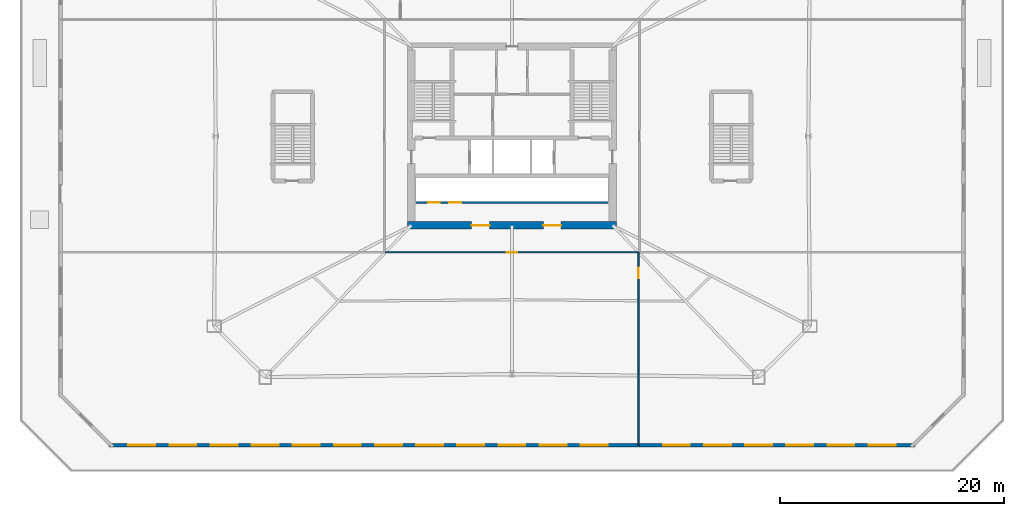
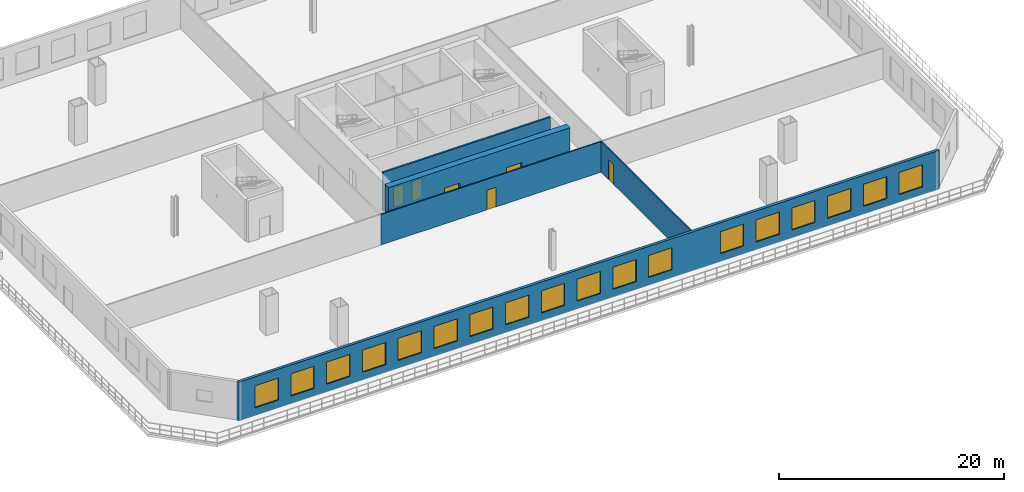
# One storey, part 3 of 9: 18 windows, 6 doors, 5 walls, 24 openings.
"""IFC4 building model written with IfcOpenShell, lengths in metres."""

from ifc_helpers import new_model, si_unit, direction, frame, frame_2d, origin, place, context, subcontext, project, spatial, rectangle, extrude, material, layer, layer_set, type_object, element, fill, save


model = new_model("IFC4")

# Units and contexts
model_context = context("Model", 3, precision=1e-05, world=origin(), true_north=direction((0.0, 1.0)))
body_context = subcontext(model_context, "Body", "Model", "MODEL_VIEW")
ifc_project = project(units=[si_unit("LENGTHUNIT", "METRE"), si_unit("AREAUNIT", "SQUARE_METRE"), si_unit("VOLUMEUNIT", "CUBIC_METRE"), si_unit("PLANEANGLEUNIT", "RADIAN"), si_unit("MASSUNIT", "GRAM", prefix="KILO")], contexts=[model_context])

# Site, building, storey
site_placement = place(None, origin())
site = spatial("IfcSite", under=ifc_project, at=site_placement, CompositionType="ELEMENT")
building_placement = place(site_placement, origin())
building = spatial("IfcBuilding", under=site, at=building_placement, Name="Caelvoria Tower", CompositionType="ELEMENT")
storey_placement = place(building_placement, frame((0.0, 0.0, 5.0)))
storey = spatial("IfcBuildingStorey", under=building, at=storey_placement, Name="L01", CompositionType="ELEMENT", Elevation=5.0)

# Wall, openings, windows
ifc_material_1 = material(Name="Precast Concrete C40/50 with Bronze Cladding", Category="concrete")
ifc_layer_1 = layer(ifc_material_1, 0.280029296875, Name="Precast Concrete C40/50 with Bronze Cladding")
ifc_layer_set_1 = layer_set([ifc_layer_1], Name="Exterior Precast Concrete C40/50 Bronze-Clad Facade Wall 280 - Precast Concrete C40/50 with Bronze Cladding")
wall_type_1 = type_object("IfcWallType", Name="Exterior Precast Concrete C40/50 Bronze-Clad Facade Wall 280", PredefinedType="STANDARD", material=ifc_layer_set_1)
wall_1_placement = place(storey_placement, frame((9.9599609375, 4.340087890625, 0.0), z_axis=(0.0, 0.0, 1.0), x_axis=(1.0, 0.0, 0.0)))
wall_1 = element("IfcWall", 1, at=wall_1_placement, inside=storey, type_object=wall_type_1, Name="Exterior Facade Wall L01-E0", PredefinedType="STANDARD", context=body_context, shape_type="SweptSolid", body=[
    extrude(rectangle(XDim=72.080078125, YDim=0.280029296875, at=frame_2d((36.0400390625, 0.0))), origin(), (0.0, 0.0, 1.0), 4.219970703125),
])
opening_1_placement = place(wall_1_placement, frame((1.739013671875, 0.0, 0.85009765625)))
opening_1 = element("IfcOpeningElement", 2, at=opening_1_placement, cuts=wall_1, Name="Opening WN-04", PredefinedType="OPENING", context=body_context, shape_type="SweptSolid", body=[
    extrude(rectangle(XDim=2.39990234375, YDim=2.39990234375, at=frame_2d((1.199951171875, 1.199951171875))), frame((0.0, 0.14990234375, 0.0), z_axis=(0.0, -1.0, 0.0), x_axis=(1.0, 0.0, 0.0)), (0.0, 0.0, 1.0), 0.300048828125),
])
opening_2_placement = place(wall_1_placement, frame((5.416748046875, 0.0, 0.85009765625)))
opening_2 = element("IfcOpeningElement", 3, at=opening_2_placement, cuts=wall_1, Name="Opening WN-04", PredefinedType="OPENING", context=body_context, shape_type="SweptSolid", body=[
    extrude(rectangle(XDim=2.39990234375, YDim=2.39990234375, at=frame_2d((1.199951171875, 1.199951171875))), frame((0.0, 0.14990234375, 0.0), z_axis=(0.0, -1.0, 0.0), x_axis=(1.0, 0.0, 0.0)), (0.0, 0.0, 1.0), 0.300048828125),
])
opening_3_placement = place(wall_1_placement, frame((9.0947265625, 0.0, 0.85009765625)))
opening_3 = element("IfcOpeningElement", 4, at=opening_3_placement, cuts=wall_1, Name="Opening WN-04", PredefinedType="OPENING", context=body_context, shape_type="SweptSolid", body=[
    extrude(rectangle(XDim=2.39990234375, YDim=2.39990234375, at=frame_2d((1.199951171875, 1.199951171875))), frame((0.0, 0.14990234375, 0.0), z_axis=(0.0, -1.0, 0.0), x_axis=(1.0, 0.0, 0.0)), (0.0, 0.0, 1.0), 0.300048828125),
])
opening_4_placement = place(wall_1_placement, frame((12.772705078125, 0.0, 0.85009765625)))
opening_4 = element("IfcOpeningElement", 5, at=opening_4_placement, cuts=wall_1, Name="Opening WN-04", PredefinedType="OPENING", context=body_context, shape_type="SweptSolid", body=[
    extrude(rectangle(XDim=2.39990234375, YDim=2.39990234375, at=frame_2d((1.199951171875, 1.199951171875))), frame((0.0, 0.14990234375, 0.0), z_axis=(0.0, -1.0, 0.0), x_axis=(1.0, 0.0, 0.0)), (0.0, 0.0, 1.0), 0.300048828125),
])
opening_5_placement = place(wall_1_placement, frame((16.450439453125, 0.0, 0.85009765625)))
opening_5 = element("IfcOpeningElement", 6, at=opening_5_placement, cuts=wall_1, Name="Opening WN-04", PredefinedType="OPENING", context=body_context, shape_type="SweptSolid", body=[
    extrude(rectangle(XDim=2.39990234375, YDim=2.39990234375, at=frame_2d((1.199951171875, 1.199951171875))), frame((0.0, 0.14990234375, 0.0), z_axis=(0.0, -1.0, 0.0), x_axis=(1.0, 0.0, 0.0)), (0.0, 0.0, 1.0), 0.300048828125),
])
opening_6_placement = place(wall_1_placement, frame((20.12841796875, 0.0, 0.85009765625)))
opening_6 = element("IfcOpeningElement", 7, at=opening_6_placement, cuts=wall_1, Name="Opening WN-04", PredefinedType="OPENING", context=body_context, shape_type="SweptSolid", body=[
    extrude(rectangle(XDim=2.39990234375, YDim=2.39990234375, at=frame_2d((1.199951171875, 1.199951171875))), frame((0.0, 0.14990234375, 0.0), z_axis=(0.0, -1.0, 0.0), x_axis=(1.0, 0.0, 0.0)), (0.0, 0.0, 1.0), 0.300048828125),
])
opening_7_placement = place(wall_1_placement, frame((23.806396484375, 0.0, 0.85009765625)))
opening_7 = element("IfcOpeningElement", 8, at=opening_7_placement, cuts=wall_1, Name="Opening WN-04", PredefinedType="OPENING", context=body_context, shape_type="SweptSolid", body=[
    extrude(rectangle(XDim=2.39990234375, YDim=2.39990234375, at=frame_2d((1.199951171875, 1.199951171875))), frame((0.0, 0.14990234375, 0.0), z_axis=(0.0, -1.0, 0.0), x_axis=(1.0, 0.0, 0.0)), (0.0, 0.0, 1.0), 0.300048828125),
])
opening_8_placement = place(wall_1_placement, frame((27.484130859375, 0.0, 0.85009765625)))
opening_8 = element("IfcOpeningElement", 9, at=opening_8_placement, cuts=wall_1, Name="Opening WN-04", PredefinedType="OPENING", context=body_context, shape_type="SweptSolid", body=[
    extrude(rectangle(XDim=2.39990234375, YDim=2.39990234375, at=frame_2d((1.199951171875, 1.199951171875))), frame((0.0, 0.14990234375, 0.0), z_axis=(0.0, -1.0, 0.0), x_axis=(1.0, 0.0, 0.0)), (0.0, 0.0, 1.0), 0.300048828125),
])
opening_9_placement = place(wall_1_placement, frame((31.162109375, 0.0, 0.85009765625)))
opening_9 = element("IfcOpeningElement", 10, at=opening_9_placement, cuts=wall_1, Name="Opening WN-04", PredefinedType="OPENING", context=body_context, shape_type="SweptSolid", body=[
    extrude(rectangle(XDim=2.39990234375, YDim=2.39990234375, at=frame_2d((1.199951171875, 1.199951171875))), frame((0.0, 0.14990234375, 0.0), z_axis=(0.0, -1.0, 0.0), x_axis=(1.0, 0.0, 0.0)), (0.0, 0.0, 1.0), 0.300048828125),
])
opening_10_placement = place(wall_1_placement, frame((34.840087890625, 0.0, 0.85009765625)))
opening_10 = element("IfcOpeningElement", 11, at=opening_10_placement, cuts=wall_1, Name="Opening WN-04", PredefinedType="OPENING", context=body_context, shape_type="SweptSolid", body=[
    extrude(rectangle(XDim=2.39990234375, YDim=2.39990234375, at=frame_2d((1.199951171875, 1.199951171875))), frame((0.0, 0.14990234375, 0.0), z_axis=(0.0, -1.0, 0.0), x_axis=(1.0, 0.0, 0.0)), (0.0, 0.0, 1.0), 0.300048828125),
])
opening_11_placement = place(wall_1_placement, frame((38.517822265625, 0.0, 0.85009765625)))
opening_11 = element("IfcOpeningElement", 12, at=opening_11_placement, cuts=wall_1, Name="Opening WN-04", PredefinedType="OPENING", context=body_context, shape_type="SweptSolid", body=[
    extrude(rectangle(XDim=2.39990234375, YDim=2.39990234375, at=frame_2d((1.199951171875, 1.199951171875))), frame((0.0, 0.14990234375, 0.0), z_axis=(0.0, -1.0, 0.0), x_axis=(1.0, 0.0, 0.0)), (0.0, 0.0, 1.0), 0.300048828125),
])
opening_12_placement = place(wall_1_placement, frame((42.19580078125, 0.0, 0.85009765625)))
opening_12 = element("IfcOpeningElement", 13, at=opening_12_placement, cuts=wall_1, Name="Opening WN-04", PredefinedType="OPENING", context=body_context, shape_type="SweptSolid", body=[
    extrude(rectangle(XDim=2.39990234375, YDim=2.39990234375, at=frame_2d((1.199951171875, 1.199951171875))), frame((0.0, 0.14990234375, 0.0), z_axis=(0.0, -1.0, 0.0), x_axis=(1.0, 0.0, 0.0)), (0.0, 0.0, 1.0), 0.300048828125),
])
opening_13_placement = place(wall_1_placement, frame((49.551513671875, 0.0, 0.85009765625)))
opening_13 = element("IfcOpeningElement", 14, at=opening_13_placement, cuts=wall_1, Name="Opening WN-04", PredefinedType="OPENING", context=body_context, shape_type="SweptSolid", body=[
    extrude(rectangle(XDim=2.39990234375, YDim=2.39990234375, at=frame_2d((1.199951171875, 1.199951171875))), frame((0.0, 0.14990234375, 0.0), z_axis=(0.0, -1.0, 0.0), x_axis=(1.0, 0.0, 0.0)), (0.0, 0.0, 1.0), 0.300048828125),
])
opening_14_placement = place(wall_1_placement, frame((53.2294921875, 0.0, 0.85009765625)))
opening_14 = element("IfcOpeningElement", 15, at=opening_14_placement, cuts=wall_1, Name="Opening WN-04", PredefinedType="OPENING", context=body_context, shape_type="SweptSolid", body=[
    extrude(rectangle(XDim=2.39990234375, YDim=2.39990234375, at=frame_2d((1.199951171875, 1.199951171875))), frame((0.0, 0.14990234375, 0.0), z_axis=(0.0, -1.0, 0.0), x_axis=(1.0, 0.0, 0.0)), (0.0, 0.0, 1.0), 0.300048828125),
])
opening_15_placement = place(wall_1_placement, frame((56.907470703125, 0.0, 0.85009765625)))
opening_15 = element("IfcOpeningElement", 16, at=opening_15_placement, cuts=wall_1, Name="Opening WN-04", PredefinedType="OPENING", context=body_context, shape_type="SweptSolid", body=[
    extrude(rectangle(XDim=2.39990234375, YDim=2.39990234375, at=frame_2d((1.199951171875, 1.199951171875))), frame((0.0, 0.14990234375, 0.0), z_axis=(0.0, -1.0, 0.0), x_axis=(1.0, 0.0, 0.0)), (0.0, 0.0, 1.0), 0.300048828125),
])
opening_16_placement = place(wall_1_placement, frame((60.585205078125, 0.0, 0.85009765625)))
opening_16 = element("IfcOpeningElement", 17, at=opening_16_placement, cuts=wall_1, Name="Opening WN-04", PredefinedType="OPENING", context=body_context, shape_type="SweptSolid", body=[
    extrude(rectangle(XDim=2.39990234375, YDim=2.39990234375, at=frame_2d((1.199951171875, 1.199951171875))), frame((0.0, 0.14990234375, 0.0), z_axis=(0.0, -1.0, 0.0), x_axis=(1.0, 0.0, 0.0)), (0.0, 0.0, 1.0), 0.300048828125),
])
opening_17_placement = place(wall_1_placement, frame((64.26318359375, 0.0, 0.85009765625)))
opening_17 = element("IfcOpeningElement", 18, at=opening_17_placement, cuts=wall_1, Name="Opening WN-04", PredefinedType="OPENING", context=body_context, shape_type="SweptSolid", body=[
    extrude(rectangle(XDim=2.39990234375, YDim=2.39990234375, at=frame_2d((1.199951171875, 1.199951171875))), frame((0.0, 0.14990234375, 0.0), z_axis=(0.0, -1.0, 0.0), x_axis=(1.0, 0.0, 0.0)), (0.0, 0.0, 1.0), 0.300048828125),
])
opening_18_placement = place(wall_1_placement, frame((67.941162109375, 0.0, 0.85009765625)))
opening_18 = element("IfcOpeningElement", 19, at=opening_18_placement, cuts=wall_1, Name="Opening WN-04", PredefinedType="OPENING", context=body_context, shape_type="SweptSolid", body=[
    extrude(rectangle(XDim=2.39990234375, YDim=2.39990234375, at=frame_2d((1.199951171875, 1.199951171875))), frame((0.0, 0.14990234375, 0.0), z_axis=(0.0, -1.0, 0.0), x_axis=(1.0, 0.0, 0.0)), (0.0, 0.0, 1.0), 0.300048828125),
])
ifc_material_2 = material(Name="Low-E Tinted Glass in Bronze Aluminium Frame", Category="aluminium")
window_type = type_object("IfcWindowType", Name="Podium Commercial Ribbon Window 2400x2400", PartitioningType="SINGLE_PANEL", PredefinedType="WINDOW", material=ifc_material_2)
window_1_placement = place(opening_1_placement, origin())
window_1 = element("IfcWindow", 20, at=window_1_placement, inside=storey, type_object=window_type, Name="Facade Window L01-E0-00", OverallHeight=2.39990234375, OverallWidth=2.39990234375, PartitioningType="SINGLE_PANEL", PredefinedType="WINDOW", context=body_context, shape_type="SweptSolid", body=[
    extrude(rectangle(XDim=2.39990234375, YDim=2.39990234375, at=frame_2d((1.199951171875, 1.199951171875))), frame((0.0, 0.030029296875, 0.0), z_axis=(0.0, -1.0, 0.0), x_axis=(1.0, 0.0, 0.0)), (0.0, 0.0, 1.0), 0.06005859375),
])
fill(opening_1, window_1)
window_2_placement = place(opening_2_placement, origin())
window_2 = element("IfcWindow", 21, at=window_2_placement, inside=storey, type_object=window_type, Name="Facade Window L01-E0-01", OverallHeight=2.39990234375, OverallWidth=2.39990234375, PartitioningType="SINGLE_PANEL", PredefinedType="WINDOW", context=body_context, shape_type="SweptSolid", body=[
    extrude(rectangle(XDim=2.39990234375, YDim=2.39990234375, at=frame_2d((1.199951171875, 1.199951171875))), frame((0.0, 0.030029296875, 0.0), z_axis=(0.0, -1.0, 0.0), x_axis=(1.0, 0.0, 0.0)), (0.0, 0.0, 1.0), 0.06005859375),
])
fill(opening_2, window_2)
window_3_placement = place(opening_3_placement, origin())
window_3 = element("IfcWindow", 22, at=window_3_placement, inside=storey, type_object=window_type, Name="Facade Window L01-E0-02", OverallHeight=2.39990234375, OverallWidth=2.39990234375, PartitioningType="SINGLE_PANEL", PredefinedType="WINDOW", context=body_context, shape_type="SweptSolid", body=[
    extrude(rectangle(XDim=2.39990234375, YDim=2.39990234375, at=frame_2d((1.199951171875, 1.199951171875))), frame((0.0, 0.030029296875, 0.0), z_axis=(0.0, -1.0, 0.0), x_axis=(1.0, 0.0, 0.0)), (0.0, 0.0, 1.0), 0.06005859375),
])
fill(opening_3, window_3)
window_4_placement = place(opening_4_placement, origin())
window_4 = element("IfcWindow", 23, at=window_4_placement, inside=storey, type_object=window_type, Name="Facade Window L01-E0-03", OverallHeight=2.39990234375, OverallWidth=2.39990234375, PartitioningType="SINGLE_PANEL", PredefinedType="WINDOW", context=body_context, shape_type="SweptSolid", body=[
    extrude(rectangle(XDim=2.39990234375, YDim=2.39990234375, at=frame_2d((1.199951171875, 1.199951171875))), frame((0.0, 0.030029296875, 0.0), z_axis=(0.0, -1.0, 0.0), x_axis=(1.0, 0.0, 0.0)), (0.0, 0.0, 1.0), 0.06005859375),
])
fill(opening_4, window_4)
window_5_placement = place(opening_5_placement, origin())
window_5 = element("IfcWindow", 24, at=window_5_placement, inside=storey, type_object=window_type, Name="Facade Window L01-E0-04", OverallHeight=2.39990234375, OverallWidth=2.39990234375, PartitioningType="SINGLE_PANEL", PredefinedType="WINDOW", context=body_context, shape_type="SweptSolid", body=[
    extrude(rectangle(XDim=2.39990234375, YDim=2.39990234375, at=frame_2d((1.199951171875, 1.199951171875))), frame((0.0, 0.030029296875, 0.0), z_axis=(0.0, -1.0, 0.0), x_axis=(1.0, 0.0, 0.0)), (0.0, 0.0, 1.0), 0.06005859375),
])
fill(opening_5, window_5)
window_6_placement = place(opening_6_placement, origin())
window_6 = element("IfcWindow", 25, at=window_6_placement, inside=storey, type_object=window_type, Name="Facade Window L01-E0-05", OverallHeight=2.39990234375, OverallWidth=2.39990234375, PartitioningType="SINGLE_PANEL", PredefinedType="WINDOW", context=body_context, shape_type="SweptSolid", body=[
    extrude(rectangle(XDim=2.39990234375, YDim=2.39990234375, at=frame_2d((1.199951171875, 1.199951171875))), frame((0.0, 0.030029296875, 0.0), z_axis=(0.0, -1.0, 0.0), x_axis=(1.0, 0.0, 0.0)), (0.0, 0.0, 1.0), 0.06005859375),
])
fill(opening_6, window_6)
window_7_placement = place(opening_7_placement, origin())
window_7 = element("IfcWindow", 26, at=window_7_placement, inside=storey, type_object=window_type, Name="Facade Window L01-E0-06", OverallHeight=2.39990234375, OverallWidth=2.39990234375, PartitioningType="SINGLE_PANEL", PredefinedType="WINDOW", context=body_context, shape_type="SweptSolid", body=[
    extrude(rectangle(XDim=2.39990234375, YDim=2.39990234375, at=frame_2d((1.199951171875, 1.199951171875))), frame((0.0, 0.030029296875, 0.0), z_axis=(0.0, -1.0, 0.0), x_axis=(1.0, 0.0, 0.0)), (0.0, 0.0, 1.0), 0.06005859375),
])
fill(opening_7, window_7)
window_8_placement = place(opening_8_placement, origin())
window_8 = element("IfcWindow", 27, at=window_8_placement, inside=storey, type_object=window_type, Name="Facade Window L01-E0-07", OverallHeight=2.39990234375, OverallWidth=2.39990234375, PartitioningType="SINGLE_PANEL", PredefinedType="WINDOW", context=body_context, shape_type="SweptSolid", body=[
    extrude(rectangle(XDim=2.39990234375, YDim=2.39990234375, at=frame_2d((1.199951171875, 1.199951171875))), frame((0.0, 0.030029296875, 0.0), z_axis=(0.0, -1.0, 0.0), x_axis=(1.0, 0.0, 0.0)), (0.0, 0.0, 1.0), 0.06005859375),
])
fill(opening_8, window_8)
window_9_placement = place(opening_9_placement, origin())
window_9 = element("IfcWindow", 28, at=window_9_placement, inside=storey, type_object=window_type, Name="Facade Window L01-E0-08", OverallHeight=2.39990234375, OverallWidth=2.39990234375, PartitioningType="SINGLE_PANEL", PredefinedType="WINDOW", context=body_context, shape_type="SweptSolid", body=[
    extrude(rectangle(XDim=2.39990234375, YDim=2.39990234375, at=frame_2d((1.199951171875, 1.199951171875))), frame((0.0, 0.030029296875, 0.0), z_axis=(0.0, -1.0, 0.0), x_axis=(1.0, 0.0, 0.0)), (0.0, 0.0, 1.0), 0.06005859375),
])
fill(opening_9, window_9)
window_10_placement = place(opening_10_placement, origin())
window_10 = element("IfcWindow", 29, at=window_10_placement, inside=storey, type_object=window_type, Name="Facade Window L01-E0-09", OverallHeight=2.39990234375, OverallWidth=2.39990234375, PartitioningType="SINGLE_PANEL", PredefinedType="WINDOW", context=body_context, shape_type="SweptSolid", body=[
    extrude(rectangle(XDim=2.39990234375, YDim=2.39990234375, at=frame_2d((1.199951171875, 1.199951171875))), frame((0.0, 0.030029296875, 0.0), z_axis=(0.0, -1.0, 0.0), x_axis=(1.0, 0.0, 0.0)), (0.0, 0.0, 1.0), 0.06005859375),
])
fill(opening_10, window_10)
window_11_placement = place(opening_11_placement, origin())
window_11 = element("IfcWindow", 30, at=window_11_placement, inside=storey, type_object=window_type, Name="Facade Window L01-E0-10", OverallHeight=2.39990234375, OverallWidth=2.39990234375, PartitioningType="SINGLE_PANEL", PredefinedType="WINDOW", context=body_context, shape_type="SweptSolid", body=[
    extrude(rectangle(XDim=2.39990234375, YDim=2.39990234375, at=frame_2d((1.199951171875, 1.199951171875))), frame((0.0, 0.030029296875, 0.0), z_axis=(0.0, -1.0, 0.0), x_axis=(1.0, 0.0, 0.0)), (0.0, 0.0, 1.0), 0.06005859375),
])
fill(opening_11, window_11)
window_12_placement = place(opening_12_placement, origin())
window_12 = element("IfcWindow", 31, at=window_12_placement, inside=storey, type_object=window_type, Name="Facade Window L01-E0-11", OverallHeight=2.39990234375, OverallWidth=2.39990234375, PartitioningType="SINGLE_PANEL", PredefinedType="WINDOW", context=body_context, shape_type="SweptSolid", body=[
    extrude(rectangle(XDim=2.39990234375, YDim=2.39990234375, at=frame_2d((1.199951171875, 1.199951171875))), frame((0.0, 0.030029296875, 0.0), z_axis=(0.0, -1.0, 0.0), x_axis=(1.0, 0.0, 0.0)), (0.0, 0.0, 1.0), 0.06005859375),
])
fill(opening_12, window_12)
window_13_placement = place(opening_13_placement, origin())
window_13 = element("IfcWindow", 32, at=window_13_placement, inside=storey, type_object=window_type, Name="Facade Window L01-E0-13", OverallHeight=2.39990234375, OverallWidth=2.39990234375, PartitioningType="SINGLE_PANEL", PredefinedType="WINDOW", context=body_context, shape_type="SweptSolid", body=[
    extrude(rectangle(XDim=2.39990234375, YDim=2.39990234375, at=frame_2d((1.199951171875, 1.199951171875))), frame((0.0, 0.030029296875, 0.0), z_axis=(0.0, -1.0, 0.0), x_axis=(1.0, 0.0, 0.0)), (0.0, 0.0, 1.0), 0.06005859375),
])
fill(opening_13, window_13)
window_14_placement = place(opening_14_placement, origin())
window_14 = element("IfcWindow", 33, at=window_14_placement, inside=storey, type_object=window_type, Name="Facade Window L01-E0-14", OverallHeight=2.39990234375, OverallWidth=2.39990234375, PartitioningType="SINGLE_PANEL", PredefinedType="WINDOW", context=body_context, shape_type="SweptSolid", body=[
    extrude(rectangle(XDim=2.39990234375, YDim=2.39990234375, at=frame_2d((1.199951171875, 1.199951171875))), frame((0.0, 0.030029296875, 0.0), z_axis=(0.0, -1.0, 0.0), x_axis=(1.0, 0.0, 0.0)), (0.0, 0.0, 1.0), 0.06005859375),
])
fill(opening_14, window_14)
window_15_placement = place(opening_15_placement, origin())
window_15 = element("IfcWindow", 34, at=window_15_placement, inside=storey, type_object=window_type, Name="Facade Window L01-E0-15", OverallHeight=2.39990234375, OverallWidth=2.39990234375, PartitioningType="SINGLE_PANEL", PredefinedType="WINDOW", context=body_context, shape_type="SweptSolid", body=[
    extrude(rectangle(XDim=2.39990234375, YDim=2.39990234375, at=frame_2d((1.199951171875, 1.199951171875))), frame((0.0, 0.030029296875, 0.0), z_axis=(0.0, -1.0, 0.0), x_axis=(1.0, 0.0, 0.0)), (0.0, 0.0, 1.0), 0.06005859375),
])
fill(opening_15, window_15)
window_16_placement = place(opening_16_placement, origin())
window_16 = element("IfcWindow", 35, at=window_16_placement, inside=storey, type_object=window_type, Name="Facade Window L01-E0-16", OverallHeight=2.39990234375, OverallWidth=2.39990234375, PartitioningType="SINGLE_PANEL", PredefinedType="WINDOW", context=body_context, shape_type="SweptSolid", body=[
    extrude(rectangle(XDim=2.39990234375, YDim=2.39990234375, at=frame_2d((1.199951171875, 1.199951171875))), frame((0.0, 0.030029296875, 0.0), z_axis=(0.0, -1.0, 0.0), x_axis=(1.0, 0.0, 0.0)), (0.0, 0.0, 1.0), 0.06005859375),
])
fill(opening_16, window_16)
window_17_placement = place(opening_17_placement, origin())
window_17 = element("IfcWindow", 36, at=window_17_placement, inside=storey, type_object=window_type, Name="Facade Window L01-E0-17", OverallHeight=2.39990234375, OverallWidth=2.39990234375, PartitioningType="SINGLE_PANEL", PredefinedType="WINDOW", context=body_context, shape_type="SweptSolid", body=[
    extrude(rectangle(XDim=2.39990234375, YDim=2.39990234375, at=frame_2d((1.199951171875, 1.199951171875))), frame((0.0, 0.030029296875, 0.0), z_axis=(0.0, -1.0, 0.0), x_axis=(1.0, 0.0, 0.0)), (0.0, 0.0, 1.0), 0.06005859375),
])
fill(opening_17, window_17)
window_18_placement = place(opening_18_placement, origin())
window_18 = element("IfcWindow", 37, at=window_18_placement, inside=storey, type_object=window_type, Name="Facade Window L01-E0-18", OverallHeight=2.39990234375, OverallWidth=2.39990234375, PartitioningType="SINGLE_PANEL", PredefinedType="WINDOW", context=body_context, shape_type="SweptSolid", body=[
    extrude(rectangle(XDim=2.39990234375, YDim=2.39990234375, at=frame_2d((1.199951171875, 1.199951171875))), frame((0.0, 0.030029296875, 0.0), z_axis=(0.0, -1.0, 0.0), x_axis=(1.0, 0.0, 0.0)), (0.0, 0.0, 1.0), 0.06005859375),
])
fill(opening_18, window_18)

# Wall, openings, doors
ifc_material_3 = material(Name="Concrete Block and Fireboard Assembly", Category="concrete")
ifc_layer_2 = layer(ifc_material_3, 0.179931640625, Name="Concrete Block and Fireboard Assembly")
ifc_layer_set_2 = layer_set([ifc_layer_2], Name="Fire-Rated Hoistway Partition Wall 180 - Concrete Block and Fireboard Assembly")
wall_type_2 = type_object("IfcWallType", Name="Fire-Rated Hoistway Partition Wall 180", PredefinedType="PARTITIONING", material=ifc_layer_set_2)
wall_2_placement = place(storey_placement, frame((37.39990234375, 26.050048828125, 0.0), z_axis=(0.0, 0.0, 1.0), x_axis=(1.0, 0.0, 0.0)))
wall_2 = element("IfcWall", 38, at=wall_2_placement, inside=storey, type_object=wall_type_2, Name="Interior Partition IW-L01-LFRONT", PredefinedType="PARTITIONING", context=body_context, shape_type="SweptSolid", body=[
    extrude(rectangle(XDim=17.2001953125, YDim=0.179931640625, at=frame_2d((8.60009765625, 0.0))), origin(), (0.0, 0.0, 1.0), 4.219970703125),
])
opening_19_placement = place(wall_2_placement, frame((1.10009765625, 0.0, 0.0)))
opening_19 = element("IfcOpeningElement", 39, at=opening_19_placement, cuts=wall_2, Name="Opening LD-01", PredefinedType="OPENING", context=body_context, shape_type="SweptSolid", body=[
    extrude(rectangle(XDim=1.050048828125, YDim=2.14990234375, at=frame_2d((0.52490234375, 1.074951171875))), frame((0.0, 0.099853515625, 0.0), z_axis=(0.0, -1.0, 0.0), x_axis=(1.0, 0.0, 0.0)), (0.0, 0.0, 1.0), 0.199951171875),
])
opening_20_placement = place(wall_2_placement, frame((3.0, 0.0, 0.0)))
opening_20 = element("IfcOpeningElement", 40, at=opening_20_placement, cuts=wall_2, Name="Opening LD-01", PredefinedType="OPENING", context=body_context, shape_type="SweptSolid", body=[
    extrude(rectangle(XDim=1.050048828125, YDim=2.14990234375, at=frame_2d((0.52490234375, 1.074951171875))), frame((0.0, 0.099853515625, 0.0), z_axis=(0.0, -1.0, 0.0), x_axis=(1.0, 0.0, 0.0)), (0.0, 0.0, 1.0), 0.199951171875),
])
ifc_material_4 = material(Name="Brushed Bronze Stainless Sliding Landing Door", Category="aluminium")
door_type_1 = type_object("IfcDoorType", Name="Lift Landing Sliding Door 1100x2150", OperationType="NOTDEFINED", PredefinedType="DOOR", material=ifc_material_4)
door_1_placement = place(opening_19_placement, origin())
door_1 = element("IfcDoor", 41, at=door_1_placement, inside=storey, type_object=door_type_1, Name="Interior Door LD-L01-PL1", OperationType="SLIDING_TO_LEFT", OverallHeight=2.14990234375, OverallWidth=1.050048828125, PredefinedType="DOOR", context=body_context, shape_type="SweptSolid", body=[
    extrude(rectangle(XDim=1.050048828125, YDim=2.14990234375, at=frame_2d((0.52490234375, 1.074951171875))), frame((0.0, 0.02490234375, 0.0), z_axis=(0.0, -1.0, 0.0), x_axis=(1.0, 0.0, 0.0)), (0.0, 0.0, 1.0), 0.050048828125),
])
fill(opening_19, door_1)
door_2_placement = place(opening_20_placement, origin())
door_2 = element("IfcDoor", 42, at=door_2_placement, inside=storey, type_object=door_type_1, Name="Interior Door LD-L01-PL2", OperationType="SLIDING_TO_RIGHT", OverallHeight=2.14990234375, OverallWidth=1.050048828125, PredefinedType="DOOR", context=body_context, shape_type="SweptSolid", body=[
    extrude(rectangle(XDim=1.050048828125, YDim=2.14990234375, at=frame_2d((0.52490234375, 1.074951171875))), frame((0.0, 0.02490234375, 0.0), z_axis=(0.0, -1.0, 0.0), x_axis=(1.0, 0.0, 0.0)), (0.0, 0.0, 1.0), 0.050048828125),
])
fill(opening_20, door_2)

ifc_material_5 = material(Name="Concrete C60/75", Category="concrete")
ifc_layer_3 = layer(ifc_material_5, 0.64990234375, Name="Concrete C60/75")
ifc_layer_set_3 = layer_set([ifc_layer_3], Name="Lower Core Shear Wall 650 - Concrete C60/75")
wall_type_3 = type_object("IfcWallType", Name="Lower Core Shear Wall 650", PredefinedType="SHEAR", material=ifc_layer_set_3)
wall_3_placement = place(storey_placement, frame((36.675048828125, 24.0, 0.0), z_axis=(0.0, 0.0, 1.0), x_axis=(1.0, 0.0, 0.0)))
wall_3 = element("IfcWall", 43, at=wall_3_placement, inside=storey, type_object=wall_type_3, Name="Core Shear Wall L01 S", PredefinedType="SHEAR", context=body_context, shape_type="SweptSolid", body=[
    extrude(rectangle(XDim=18.64990234375, YDim=0.64990234375, at=frame_2d((9.324951171875, 0.0))), origin(), (0.0, 0.0, 1.0), 4.219970703125),
])
opening_21_placement = place(wall_3_placement, frame((5.72509765625, 0.0, 0.0)))
opening_21 = element("IfcOpeningElement", 44, at=opening_21_placement, cuts=wall_3, Name="Opening ID-08", PredefinedType="OPENING", context=body_context, shape_type="SweptSolid", body=[
    extrude(rectangle(XDim=1.60009765625, YDim=2.14990234375, at=frame_2d((0.800048828125, 1.074951171875))), frame((0.0, 0.3349609375, 0.0), z_axis=(0.0, -1.0, 0.0), x_axis=(1.0, 0.0, 0.0)), (0.0, 0.0, 1.0), 0.669921875),
])
opening_22_placement = place(wall_3_placement, frame((12.125, 0.0, 0.0)))
opening_22 = element("IfcOpeningElement", 45, at=opening_22_placement, cuts=wall_3, Name="Opening ID-08", PredefinedType="OPENING", context=body_context, shape_type="SweptSolid", body=[
    extrude(rectangle(XDim=1.60009765625, YDim=2.14990234375, at=frame_2d((0.800048828125, 1.074951171875))), frame((0.0, 0.3349609375, 0.0), z_axis=(0.0, -1.0, 0.0), x_axis=(1.0, 0.0, 0.0)), (0.0, 0.0, 1.0), 0.669921875),
])
ifc_material_6 = material(Name="Bronze-Framed Fire-Rated Glazed Double Door", Category="aluminium")
door_type_2 = type_object("IfcDoorType", Name="Double Lobby Glazed Door 1600x2200", OperationType="NOTDEFINED", PredefinedType="DOOR", material=ifc_material_6)
door_3_placement = place(opening_21_placement, origin())
door_3 = element("IfcDoor", 46, at=door_3_placement, inside=storey, type_object=door_type_2, Name="Core Door DR-L01-LLOB-S1", OperationType="DOUBLE_DOOR_SINGLE_SWING", OverallHeight=2.14990234375, OverallWidth=1.60009765625, PredefinedType="DOOR", context=body_context, shape_type="SweptSolid", body=[
    extrude(rectangle(XDim=1.60009765625, YDim=2.14990234375, at=frame_2d((0.800048828125, 1.074951171875))), frame((0.0, 0.02490234375, 0.0), z_axis=(0.0, -1.0, 0.0), x_axis=(1.0, 0.0, 0.0)), (0.0, 0.0, 1.0), 0.050048828125),
])
fill(opening_21, door_3)
door_4_placement = place(opening_22_placement, origin())
door_4 = element("IfcDoor", 47, at=door_4_placement, inside=storey, type_object=door_type_2, Name="Core Door DR-L01-LLOB-S2", OperationType="DOUBLE_DOOR_SINGLE_SWING", OverallHeight=2.14990234375, OverallWidth=1.60009765625, PredefinedType="DOOR", context=body_context, shape_type="SweptSolid", body=[
    extrude(rectangle(XDim=1.60009765625, YDim=2.14990234375, at=frame_2d((0.800048828125, 1.074951171875))), frame((0.0, 0.02490234375, 0.0), z_axis=(0.0, -1.0, 0.0), x_axis=(1.0, 0.0, 0.0)), (0.0, 0.0, 1.0), 0.050048828125),
])
fill(opening_22, door_4)

# Wall, opening, door
ifc_material_7 = material(Name="Acoustic Timber-Clad Operable Panel", Category="wood")
ifc_layer_4 = layer(ifc_material_7, 0.125, Name="Acoustic Timber-Clad Operable Panel")
ifc_layer_set_4 = layer_set([ifc_layer_4], Name="Operable Acoustic Folding Partition Wall 125 - Acoustic Timber-Clad Operable Panel")
wall_type_4 = type_object("IfcWallType", Name="Operable Acoustic Folding Partition Wall 125", PredefinedType="MOVABLE", material=ifc_layer_set_4)
wall_4_placement = place(storey_placement, frame((57.32568359375, 21.590087890625, 0.0), z_axis=(0.0, 0.0, 1.0), x_axis=(0.0, -1.0, 0.0)))
wall_4 = element("IfcWall", 48, at=wall_4_placement, inside=storey, type_object=wall_type_4, Name="Interior Partition IW-L01-SD-00-0", PredefinedType="MOVABLE", context=body_context, shape_type="SweptSolid", body=[
    extrude(rectangle(XDim=17.25, YDim=0.1201171875, at=frame_2d((8.625, 0.0))), origin(), (0.0, 0.0, 1.0), 3.320068359375),
])
opening_23_placement = place(wall_4_placement, frame((1.39990234375, 0.0, 0.0)))
opening_23 = element("IfcOpeningElement", 49, at=opening_23_placement, cuts=wall_4, Name="Opening ID-06", PredefinedType="OPENING", context=body_context, shape_type="SweptSolid", body=[
    extrude(rectangle(XDim=0.89990234375, YDim=2.14990234375, at=frame_2d((0.449951171875, 1.074951171875))), frame((0.0, 0.070068359375, 0.0), z_axis=(0.0, -1.0, 0.0), x_axis=(1.0, 0.0, 0.0)), (0.0, 0.0, 1.0), 0.14013671875),
])
ifc_material_8 = material(Name="Engineered Andean Oak Veneer Door", Category="wood")
door_type_3 = type_object("IfcDoorType", Name="Interior Timber Door 900x2150", OperationType="NOTDEFINED", PredefinedType="DOOR", material=ifc_material_8)
door_5_placement = place(opening_23_placement, origin())
door_5 = element("IfcDoor", 50, at=door_5_placement, inside=storey, type_object=door_type_3, Name="Interior Door DR-L01-SM-00-0", OperationType="SINGLE_SWING_RIGHT", OverallHeight=2.14990234375, OverallWidth=0.89990234375, PredefinedType="DOOR", context=body_context, shape_type="SweptSolid", body=[
    extrude(rectangle(XDim=0.89990234375, YDim=2.14990234375, at=frame_2d((0.449951171875, 1.074951171875))), frame((0.0, 0.02490234375, 0.0), z_axis=(0.0, -1.0, 0.0), x_axis=(1.0, 0.0, 0.0)), (0.0, 0.0, 1.0), 0.050048828125),
])
fill(opening_23, door_5)

ifc_material_9 = material(Name="Acoustic Gypsum Board on Light-Gauge Stud", Category="gypsum")
ifc_layer_5 = layer(ifc_material_9, 0.1201171875, Name="Acoustic Gypsum Board on Light-Gauge Stud")
ifc_layer_set_5 = layer_set([ifc_layer_5], Name="Tenant Suite Acoustic Partition Wall 120 - Acoustic Gypsum Board on Light-Gauge Stud")
wall_type_5 = type_object("IfcWallType", Name="Tenant Suite Acoustic Partition Wall 120", PredefinedType="PARTITIONING", material=ifc_layer_set_5)
wall_5_placement = place(storey_placement, frame((34.64990234375, 21.590087890625, 0.0), z_axis=(0.0, 0.0, 1.0), x_axis=(1.0, 0.0, 0.0)))
wall_5 = element("IfcWall", 51, at=wall_5_placement, inside=storey, type_object=wall_type_5, Name="Interior Partition IW-L01-SCW-0", PredefinedType="PARTITIONING", context=body_context, shape_type="SweptSolid", body=[
    extrude(rectangle(XDim=22.7001953125, YDim=0.1201171875, at=frame_2d((11.35009765625, 0.0))), origin(), (0.0, 0.0, 1.0), 3.320068359375),
])
opening_24_placement = place(wall_5_placement, frame((10.875, 0.0, 0.0)))
opening_24 = element("IfcOpeningElement", 52, at=opening_24_placement, cuts=wall_5, Name="Opening ID-05", PredefinedType="OPENING", context=body_context, shape_type="SweptSolid", body=[
    extrude(rectangle(XDim=0.949951171875, YDim=2.14990234375, at=frame_2d((0.47509765625, 1.074951171875))), frame((0.0, 0.070068359375, 0.0), z_axis=(0.0, -1.0, 0.0), x_axis=(1.0, 0.0, 0.0)), (0.0, 0.0, 1.0), 0.14013671875),
])
door_type_4 = type_object("IfcDoorType", Name="Interior Timber Door 950x2150", OperationType="NOTDEFINED", PredefinedType="DOOR", material=ifc_material_8)
door_6_placement = place(opening_24_placement, origin())
door_6 = element("IfcDoor", 53, at=door_6_placement, inside=storey, type_object=door_type_4, Name="Interior Door DR-L01-SC-00-0", OperationType="SINGLE_SWING_RIGHT", OverallHeight=2.14990234375, OverallWidth=0.949951171875, PredefinedType="DOOR", context=body_context, shape_type="SweptSolid", body=[
    extrude(rectangle(XDim=0.949951171875, YDim=2.14990234375, at=frame_2d((0.47509765625, 1.074951171875))), frame((0.0, 0.02490234375, 0.0), z_axis=(0.0, -1.0, 0.0), x_axis=(1.0, 0.0, 0.0)), (0.0, 0.0, 1.0), 0.050048828125),
])
fill(opening_24, door_6)

save(model, "model.ifc")
